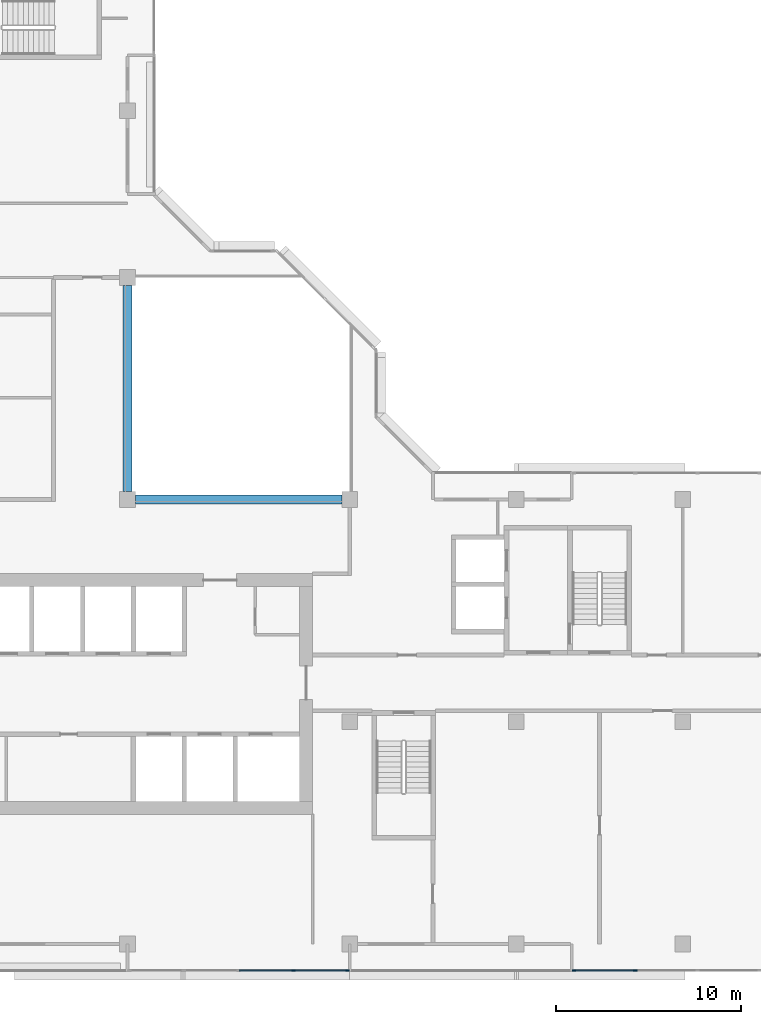
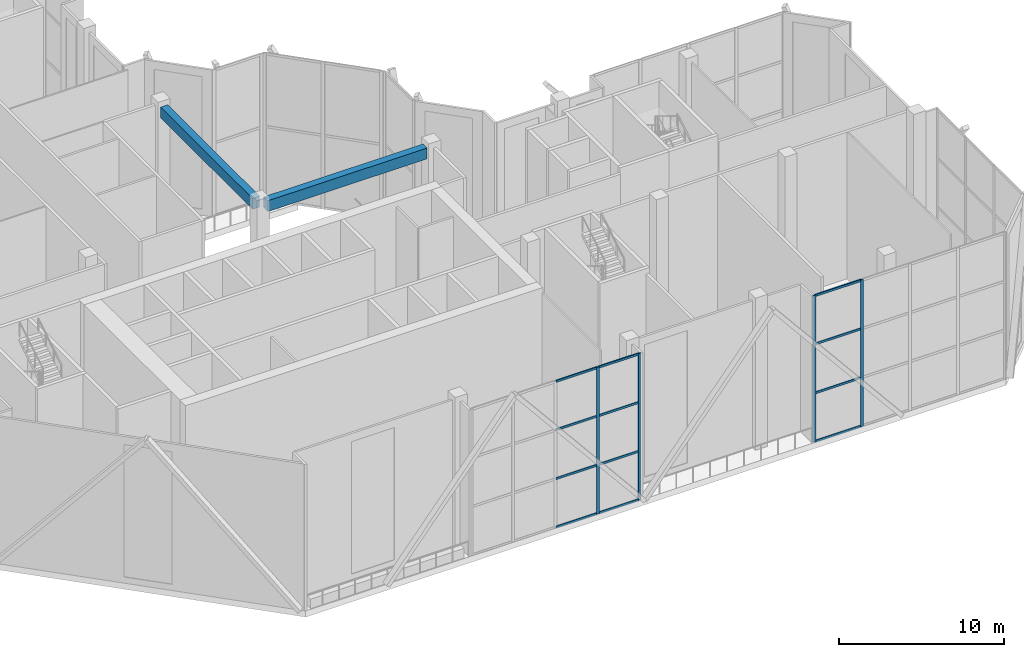
# One storey, part 3 of 18: 16 members, 2 beams, 2 elements without a shape of their own.
"""IFC4 building model written with IfcOpenShell, lengths in metres."""

import ifcopenshell
import ifcopenshell.guid

model = None  # the IFC model being written
_history = None  # IfcOwnerHistory: only IFC2X3 demands one
_inside = {}  # id of a spatial element -> (the spatial element, [elements in it])
_under = {}  # id of a project, library or spatial element -> (it, [spatial elements below it])
_declared = {}  # id of a project -> (the project, [libraries it declares])
_typed = {}  # id of a type object -> (the type object, [elements of that type])
_made_of = {}  # id of a material, layer set ... -> (it, [elements and type objects made of it])


def new_model(schema):
    """Start an empty IFC model of exactly this schema.

    Asked for "IFC4X3", IfcOpenShell would pick the latest addendum, in which some entities
    have other attributes; the version numbers below select the first issue.
    IFC2X3 requires an IfcOwnerHistory on every rooted entity: one is made here for all.
    """
    global model, _history
    if schema == "IFC4X3":
        model = ifcopenshell.file(schema_version=(4, 3, 0, 0))
    else:
        model = ifcopenshell.file(schema=schema)
    _inside.clear()
    _under.clear()
    _declared.clear()
    _typed.clear()
    _made_of.clear()
    _history = None
    if model.schema == "IFC2X3":
        org = make("IfcOrganization", Name="unknown")
        user = make(
            "IfcPersonAndOrganization",
            ThePerson=make("IfcPerson", FamilyName="unknown"),
            TheOrganization=org,
        )
        app = make(
            "IfcApplication",
            ApplicationDeveloper=org,
            Version="unknown",
            ApplicationFullName="unknown",
            ApplicationIdentifier="unknown",
        )
        _history = make(
            "IfcOwnerHistory",
            OwningUser=user,
            OwningApplication=app,
            ChangeAction="ADDED",
            CreationDate=0,
        )
    return model


def make(cls, **values):
    """One entity of the class cls with the attributes given. An attribute that is None is left unset."""
    return model.create_entity(
        cls, **{name: value for name, value in values.items() if value is not None}
    )


def rooted(cls, **values):
    """An entity with a GlobalId (a new one), such as an element, a storey or a relation."""
    return make(cls, GlobalId=ifcopenshell.guid.new(), OwnerHistory=_history, **values)


def si_unit(unit_type, name, prefix=None):
    """IfcSIUnit, for example si_unit("LENGTHUNIT", "METRE", prefix="MILLI")."""
    return make("IfcSIUnit", UnitType=unit_type, Prefix=prefix, Name=name)


def assignment(units):
    """IfcUnitAssignment: the units of a project."""
    return None if units is None else make("IfcUnitAssignment", Units=units)


def point(xyz):
    """IfcCartesianPoint."""
    return None if xyz is None else make("IfcCartesianPoint", Coordinates=xyz)


def direction(xyz):
    """IfcDirection."""
    return None if xyz is None else make("IfcDirection", DirectionRatios=xyz)


def frame(location, z_axis=None, x_axis=None):
    """IfcAxis2Placement3D, a coordinate frame: its origin and axes. An axis left out is left unset."""
    return make(
        "IfcAxis2Placement3D",
        Location=point(location),
        Axis=direction(z_axis),
        RefDirection=direction(x_axis),
    )


def frame_2d(location, x_axis=None):
    """IfcAxis2Placement2D, a coordinate frame in the plane: its origin and x axis."""
    return make(
        "IfcAxis2Placement2D", Location=point(location), RefDirection=direction(x_axis)
    )


def origin():
    """The frame at (0, 0, 0) with its axes left unset."""
    return frame((0.0, 0.0, 0.0))


def origin_2d():
    """The frame at (0, 0) in the plane with its x axis left unset."""
    return frame_2d((0.0, 0.0))


def place(relative_to, where):
    """IfcLocalPlacement: puts the frame where relative to a parent placement (None: the world)."""
    return make(
        "IfcLocalPlacement", PlacementRelTo=relative_to, RelativePlacement=where
    )


def context(
    kind, dimensions, precision=None, world=None, true_north=None, identifier=None
):
    """IfcGeometricRepresentationContext, for example the 3D "Model" context."""
    return make(
        "IfcGeometricRepresentationContext",
        ContextIdentifier=identifier,
        ContextType=kind,
        CoordinateSpaceDimension=dimensions,
        Precision=precision,
        WorldCoordinateSystem=world,
        TrueNorth=true_north,
    )


def subcontext(parent, identifier, kind, view, scale=None):
    """IfcGeometricRepresentationSubContext, for example "Body" below "Model"."""
    return make(
        "IfcGeometricRepresentationSubContext",
        ContextIdentifier=identifier,
        ContextType=kind,
        ParentContext=parent,
        TargetScale=scale,
        TargetView=view,
    )


def project(units=None, contexts=None):
    """IfcProject with its units and contexts."""
    return rooted(
        "IfcProject",
        Name="project",
        RepresentationContexts=contexts,
        UnitsInContext=assignment(units),
    )


def spatial(cls, under=None, at=None, **own):
    """A site, building, storey or space (cls), placed at a placement, below another one or the project."""
    s = rooted(cls, ObjectPlacement=at, **own)
    if under is not None:
        _under.setdefault(under.id(), (under, []))[1].append(s)
    return s


def profile(cls, at=None, kind="AREA", **sizes):
    """A parametric profile (cls). Its sizes go by their IFC names, for example OverallWidth=200.0."""
    return make(cls, ProfileType=kind, Position=at, **sizes)


def rectangle(**sizes):
    """IfcRectangleProfileDef."""
    return profile("IfcRectangleProfileDef", **sizes)


def extrude(swept, where, along, depth):
    """IfcExtrudedAreaSolid: the profile swept, set in the frame where, extruded along a direction by depth."""
    return make(
        "IfcExtrudedAreaSolid",
        SweptArea=swept,
        Position=where,
        ExtrudedDirection=direction(along),
        Depth=depth,
    )


def shape(context_of_items, identifier, shape_type, items):
    """IfcShapeRepresentation: the items that make up one representation, for example the "Body"."""
    return make(
        "IfcShapeRepresentation",
        ContextOfItems=context_of_items,
        RepresentationIdentifier=identifier,
        RepresentationType=shape_type,
        Items=items,
    )


def material(Name=None, Category=None):
    """IfcMaterial."""
    return make("IfcMaterial", Name=Name, Category=Category)


def layer(
    of_material, thickness, ventilated=None, Name=None, Category=None, Priority=None
):
    """IfcMaterialLayer: one layer of a wall or slab, of a material (None: an air gap)."""
    return make(
        "IfcMaterialLayer",
        Material=of_material,
        LayerThickness=thickness,
        IsVentilated=ventilated,
        Name=Name,
        Category=Category,
        Priority=Priority,
    )


def layer_set(layers, Name=None):
    """IfcMaterialLayerSet."""
    return make("IfcMaterialLayerSet", MaterialLayers=layers, LayerSetName=Name)


def material_profile(
    of_material, cross_section, Name=None, Category=None, Priority=None
):
    """IfcMaterialProfile: a cross section and its material."""
    return make(
        "IfcMaterialProfile",
        Name=Name,
        Material=of_material,
        Profile=cross_section,
        Priority=Priority,
        Category=Category,
    )


def profile_set(profiles, Name=None, composite=None):
    """IfcMaterialProfileSet."""
    return make(
        "IfcMaterialProfileSet",
        Name=Name,
        MaterialProfiles=profiles,
        CompositeProfile=composite,
    )


def made_of(thing, what):
    """Note that an element or type object is made of a material, layer set ...; save() writes the relation."""
    if what is not None:
        _made_of.setdefault(what.id(), (what, []))[1].append(thing)
    return thing


def type_object(cls, material=None, **own):
    """A type object (cls), such as IfcWallType, which elements share."""
    return made_of(rooted(cls, **own), material)


def element(
    cls,
    number,
    at=None,
    inside=None,
    cuts=None,
    type_object=None,
    material=None,
    context=None,
    identifier="Body",
    shape_type=None,
    held_by="IfcProductDefinitionShape",
    body=None,
    shapes=None,
    **own,
):
    """One element of the class cls, such as IfcWall. Its Tag is "e" and its number.

    at: its placement. inside: the storey or other place that contains it. cuts: it is an
    opening in that element (IfcRelVoidsElement). A single representation is given by context,
    identifier, shape_type and body (its items); several are given by shapes. held_by: the class
    of the entity that holds the representations. save() writes the other relations.
    """
    e = rooted(cls, Tag="e%d" % number, ObjectPlacement=at, **own)
    if body is not None:
        shapes = [shape(context, identifier, shape_type, body)]
    if shapes is not None:
        e.Representation = make(held_by, Representations=shapes)
    if inside is not None:
        _inside.setdefault(inside.id(), (inside, []))[1].append(e)
    if cuts is not None:
        rooted(
            "IfcRelVoidsElement", RelatingBuildingElement=cuts, RelatedOpeningElement=e
        )
    if type_object is not None:
        _typed.setdefault(type_object.id(), (type_object, []))[1].append(e)
    return made_of(e, material)


def aggregate(whole, parts):
    """IfcRelAggregates: a whole, such as a stair, and the parts it consists of."""
    return rooted("IfcRelAggregates", RelatingObject=whole, RelatedObjects=parts)


def save(model, path):
    """Write the relations noted so far, then the file.

    IfcRelAggregates (storeys below a building ...), IfcRelContainedInSpatialStructure (elements
    in a storey), IfcRelDefinesByType, IfcRelAssociatesMaterial and IfcRelDeclares: one each for
    every whole, place, type object, material and project.
    """
    for whole, parts in _under.values():
        aggregate(whole, parts)
    for where, things in _inside.values():
        rooted(
            "IfcRelContainedInSpatialStructure",
            RelatedElements=things,
            RelatingStructure=where,
        )
    for kind, things in _typed.values():
        rooted("IfcRelDefinesByType", RelatedObjects=things, RelatingType=kind)
    for what, things in _made_of.values():
        rooted("IfcRelAssociatesMaterial", RelatedObjects=things, RelatingMaterial=what)
    for by, libraries in _declared.values():
        rooted("IfcRelDeclares", RelatingContext=by, RelatedDefinitions=libraries)
    model.write(path)


model = new_model("IFC4")

# Units and contexts
model_context = context("Model", 3, precision=1e-05, world=origin(), true_north=direction((0.0, 1.0)))
body_context = subcontext(model_context, "Body", "Model", "MODEL_VIEW")
ifc_project = project(units=[si_unit("LENGTHUNIT", "METRE"), si_unit("AREAUNIT", "SQUARE_METRE"), si_unit("VOLUMEUNIT", "CUBIC_METRE"), si_unit("PLANEANGLEUNIT", "RADIAN"), si_unit("MASSUNIT", "GRAM", prefix="KILO")], contexts=[model_context])

# Site, building, storey
site_placement = place(None, origin())
site = spatial("IfcSite", under=ifc_project, at=site_placement, CompositionType="ELEMENT")
building_placement = place(site_placement, origin())
building = spatial("IfcBuilding", under=site, at=building_placement, Name="Chenar Terraces", CompositionType="ELEMENT")
storey_placement = place(building_placement, frame((0.0, 0.0, 262.14990234375)))
storey = spatial("IfcBuildingStorey", under=building, at=storey_placement, Name="L62", CompositionType="ELEMENT", Elevation=262.14990234375)

# Beams
ifc_material_1 = material(Name="Concrete C40/50", Category="concrete")
ifc_material_profile_1 = material_profile(ifc_material_1, rectangle(XDim=0.5, YDim=0.800048828125, at=origin_2d()), Name="RC 500 x 800")
ifc_profile_set_1 = profile_set([ifc_material_profile_1], Name="Concrete C40/50")
beam_type = type_object("IfcBeamType", Name="Atrium edge beam 500 x 800 Concrete C40/50", PredefinedType="BEAM", material=ifc_profile_set_1)
for number, where, z_axis, x_axis, name in (
    (1, (24.425048828125, 24.0, 10.4501953125), (1.0, 0.0, 0.0), (0.0, 1.0, 0.0), "Atrium edge beam L63 1"),
    (2, (24.0, 35.574951171875, 10.4501953125), (0.0, -1.0, 0.0), (1.0, 0.0, 0.0), "Atrium edge beam L63 4"),
):
    element("IfcBeam", number, at=place(storey_placement, frame(where, z_axis=z_axis, x_axis=x_axis)), inside=storey, type_object=beam_type, Name=name, PredefinedType="BEAM", context=body_context, shape_type="SweptSolid", body=[
        extrude(rectangle(XDim=0.5, YDim=0.800048828125, at=origin_2d()), origin(), (0.0, 0.0, 1.0), 11.14990234375),
    ])

# Curtain wall, members
ifc_material_2 = material(Name="Aluminium framed glazing", Category="aluminium")
ifc_layer = layer(ifc_material_2, 0.14990234375)
ifc_layer_set = layer_set([ifc_layer], Name="Aluminium framed glazing")
curtain_wall_type = type_object("IfcCurtainWallType", Name="Sky garden curtain wall", PredefinedType="NOTDEFINED", material=ifc_layer_set)
placement = place(storey_placement, origin())
curtain_wall_1 = element("IfcCurtainWall", 3, at=placement, inside=storey, type_object=curtain_wall_type, Name="Sky garden curtain wall", PredefinedType="NOTDEFINED")
ifc_material_3 = material(Name="Aluminium", Category="aluminium")
ifc_material_profile_2 = material_profile(ifc_material_3, rectangle(XDim=0.080078125, YDim=0.199951171875, at=origin_2d()), Name="Sky garden mullion 80 x 200")
ifc_profile_set_2 = profile_set([ifc_material_profile_2], Name="Aluminium")
member_type_1 = type_object("IfcMemberType", Name="Sky garden mullion 80 x 200", PredefinedType="MULLION", material=ifc_profile_set_2)
member_1_placement = place(storey_placement, frame((32.96240234375, -1.425048828125, 0.0), z_axis=(0.0, 0.0, 1.0), x_axis=(0.0, 1.0, 0.0)))
member_1 = element("IfcMember", 4, at=member_1_placement, type_object=member_type_1, Name="CW3-07 mullion 4", PredefinedType="MULLION", context=body_context, shape_type="SweptSolid", body=[
    extrude(rectangle(XDim=0.080078125, YDim=0.199951171875, at=origin_2d()), origin(), (0.0, 0.0, 1.0), 10.85009765625),
])
member_2_placement = place(storey_placement, frame((35.885009765625, -1.425048828125, 0.0), z_axis=(0.0, 0.0, 1.0), x_axis=(0.0, 1.0, 0.0)))
member_2 = element("IfcMember", 5, at=member_2_placement, type_object=member_type_1, Name="CW3-07 mullion 5", PredefinedType="MULLION", context=body_context, shape_type="SweptSolid", body=[
    extrude(rectangle(XDim=0.080078125, YDim=0.199951171875, at=origin_2d()), origin(), (0.0, 0.0, 1.0), 10.85009765625),
])

curtain_wall_2 = element("IfcCurtainWall", 6, at=placement, inside=storey, type_object=curtain_wall_type, Name="Sky garden curtain wall", PredefinedType="NOTDEFINED")
member_3_placement = place(storey_placement, frame((48.114990234375, -1.425048828125, 0.0), z_axis=(0.0, 0.0, 1.0), x_axis=(0.0, 1.0, 0.0)))
member_3 = element("IfcMember", 7, at=member_3_placement, type_object=member_type_1, Name="CW3-08 mullion 1", PredefinedType="MULLION", context=body_context, shape_type="SweptSolid", body=[
    extrude(rectangle(XDim=0.080078125, YDim=0.199951171875, at=origin_2d()), origin(), (0.0, 0.0, 1.0), 10.85009765625),
])
member_4_placement = place(storey_placement, frame((51.43115234375, -1.425048828125, 0.0), z_axis=(0.0, 0.0, 1.0), x_axis=(0.0, 1.0, 0.0)))
member_4 = element("IfcMember", 8, at=member_4_placement, type_object=member_type_1, Name="CW3-08 mullion 2", PredefinedType="MULLION", context=body_context, shape_type="SweptSolid", body=[
    extrude(rectangle(XDim=0.080078125, YDim=0.199951171875, at=origin_2d()), origin(), (0.0, 0.0, 1.0), 10.85009765625),
])

# Member
ifc_material_4 = material(Name="Aluminium", Category="aluminium")
ifc_material_profile_3 = material_profile(ifc_material_4, rectangle(XDim=0.080078125, YDim=0.159912109375, at=origin_2d()), Name="Sky garden transom 80 x 160")
ifc_profile_set_3 = profile_set([ifc_material_profile_3], Name="Aluminium")
member_type_2 = type_object("IfcMemberType", Name="Sky garden transom 80 x 160", PredefinedType="USERDEFINED", material=ifc_profile_set_3)
member_5_placement = place(storey_placement, frame((30.0400390625, -1.425048828125, 0.0400390625), z_axis=(1.0, 0.0, 0.0), x_axis=(0.0, 1.0, 0.0)))
member_5 = element("IfcMember", 9, at=member_5_placement, type_object=member_type_2, Name="CW3-07 transom 3.1", ObjectType="TRANSOM", PredefinedType="USERDEFINED", context=body_context, shape_type="SweptSolid", body=[
    extrude(rectangle(XDim=0.080078125, YDim=0.159912109375, at=origin_2d()), origin(), (0.0, 0.0, 1.0), 2.882568359375),
])

member_6_placement = place(storey_placement, frame((30.0400390625, -1.425048828125, 3.6171875), z_axis=(1.0, 0.0, 0.0), x_axis=(0.0, 1.0, 0.0)))
member_6 = element("IfcMember", 10, at=member_6_placement, type_object=member_type_2, Name="CW3-07 transom 3.2", ObjectType="TRANSOM", PredefinedType="USERDEFINED", context=body_context, shape_type="SweptSolid", body=[
    extrude(rectangle(XDim=0.080078125, YDim=0.159912109375, at=origin_2d()), origin(), (0.0, 0.0, 1.0), 2.882568359375),
])

member_7_placement = place(storey_placement, frame((30.0400390625, -1.425048828125, 7.233154296875), z_axis=(1.0, 0.0, 0.0), x_axis=(0.0, 1.0, 0.0)))
member_7 = element("IfcMember", 11, at=member_7_placement, type_object=member_type_2, Name="CW3-07 transom 3.3", ObjectType="TRANSOM", PredefinedType="USERDEFINED", context=body_context, shape_type="SweptSolid", body=[
    extrude(rectangle(XDim=0.080078125, YDim=0.159912109375, at=origin_2d()), origin(), (0.0, 0.0, 1.0), 2.882568359375),
])

member_8_placement = place(storey_placement, frame((30.0400390625, -1.425048828125, 10.81005859375), z_axis=(1.0, 0.0, 0.0), x_axis=(0.0, 1.0, 0.0)))
member_8 = element("IfcMember", 12, at=member_8_placement, type_object=member_type_2, Name="CW3-07 transom 3.4", ObjectType="TRANSOM", PredefinedType="USERDEFINED", context=body_context, shape_type="SweptSolid", body=[
    extrude(rectangle(XDim=0.080078125, YDim=0.159912109375, at=origin_2d()), origin(), (0.0, 0.0, 1.0), 2.882568359375),
])

member_9_placement = place(storey_placement, frame((33.00244140625, -1.425048828125, 0.0400390625), z_axis=(1.0, 0.0, 0.0), x_axis=(0.0, 1.0, 0.0)))
member_9 = element("IfcMember", 13, at=member_9_placement, type_object=member_type_2, Name="CW3-07 transom 4.1", ObjectType="TRANSOM", PredefinedType="USERDEFINED", context=body_context, shape_type="SweptSolid", body=[
    extrude(rectangle(XDim=0.080078125, YDim=0.159912109375, at=origin_2d()), origin(), (0.0, 0.0, 1.0), 2.842529296875),
])

member_10_placement = place(storey_placement, frame((33.00244140625, -1.425048828125, 3.6171875), z_axis=(1.0, 0.0, 0.0), x_axis=(0.0, 1.0, 0.0)))
member_10 = element("IfcMember", 14, at=member_10_placement, type_object=member_type_2, Name="CW3-07 transom 4.2", ObjectType="TRANSOM", PredefinedType="USERDEFINED", context=body_context, shape_type="SweptSolid", body=[
    extrude(rectangle(XDim=0.080078125, YDim=0.159912109375, at=origin_2d()), origin(), (0.0, 0.0, 1.0), 2.842529296875),
])

member_11_placement = place(storey_placement, frame((33.00244140625, -1.425048828125, 7.233154296875), z_axis=(1.0, 0.0, 0.0), x_axis=(0.0, 1.0, 0.0)))
member_11 = element("IfcMember", 15, at=member_11_placement, type_object=member_type_2, Name="CW3-07 transom 4.3", ObjectType="TRANSOM", PredefinedType="USERDEFINED", context=body_context, shape_type="SweptSolid", body=[
    extrude(rectangle(XDim=0.080078125, YDim=0.159912109375, at=origin_2d()), origin(), (0.0, 0.0, 1.0), 2.842529296875),
])

member_12_placement = place(storey_placement, frame((33.00244140625, -1.425048828125, 10.81005859375), z_axis=(1.0, 0.0, 0.0), x_axis=(0.0, 1.0, 0.0)))
member_12 = element("IfcMember", 16, at=member_12_placement, type_object=member_type_2, Name="CW3-07 transom 4.4", ObjectType="TRANSOM", PredefinedType="USERDEFINED", context=body_context, shape_type="SweptSolid", body=[
    extrude(rectangle(XDim=0.080078125, YDim=0.159912109375, at=origin_2d()), origin(), (0.0, 0.0, 1.0), 2.842529296875),
])

aggregate(curtain_wall_1, [member_1, member_2, member_5, member_6, member_7, member_8, member_9, member_10, member_11, member_12])

member_13_placement = place(storey_placement, frame((48.155029296875, -1.425048828125, 0.0400390625), z_axis=(1.0, 0.0, 0.0), x_axis=(0.0, 1.0, 0.0)))
member_13 = element("IfcMember", 17, at=member_13_placement, type_object=member_type_2, Name="CW3-08 transom 1.1", ObjectType="TRANSOM", PredefinedType="USERDEFINED", context=body_context, shape_type="SweptSolid", body=[
    extrude(rectangle(XDim=0.080078125, YDim=0.159912109375, at=origin_2d()), origin(), (0.0, 0.0, 1.0), 3.236328125),
])

member_14_placement = place(storey_placement, frame((48.155029296875, -1.425048828125, 3.6171875), z_axis=(1.0, 0.0, 0.0), x_axis=(0.0, 1.0, 0.0)))
member_14 = element("IfcMember", 18, at=member_14_placement, type_object=member_type_2, Name="CW3-08 transom 1.2", ObjectType="TRANSOM", PredefinedType="USERDEFINED", context=body_context, shape_type="SweptSolid", body=[
    extrude(rectangle(XDim=0.080078125, YDim=0.159912109375, at=origin_2d()), origin(), (0.0, 0.0, 1.0), 3.236328125),
])

member_15_placement = place(storey_placement, frame((48.155029296875, -1.425048828125, 7.233154296875), z_axis=(1.0, 0.0, 0.0), x_axis=(0.0, 1.0, 0.0)))
member_15 = element("IfcMember", 19, at=member_15_placement, type_object=member_type_2, Name="CW3-08 transom 1.3", ObjectType="TRANSOM", PredefinedType="USERDEFINED", context=body_context, shape_type="SweptSolid", body=[
    extrude(rectangle(XDim=0.080078125, YDim=0.159912109375, at=origin_2d()), origin(), (0.0, 0.0, 1.0), 3.236328125),
])

member_16_placement = place(storey_placement, frame((48.155029296875, -1.425048828125, 10.81005859375), z_axis=(1.0, 0.0, 0.0), x_axis=(0.0, 1.0, 0.0)))
member_16 = element("IfcMember", 20, at=member_16_placement, type_object=member_type_2, Name="CW3-08 transom 1.4", ObjectType="TRANSOM", PredefinedType="USERDEFINED", context=body_context, shape_type="SweptSolid", body=[
    extrude(rectangle(XDim=0.080078125, YDim=0.159912109375, at=origin_2d()), origin(), (0.0, 0.0, 1.0), 3.236328125),
])

aggregate(curtain_wall_2, [member_3, member_4, member_13, member_14, member_15, member_16])

save(model, "model.ifc")
